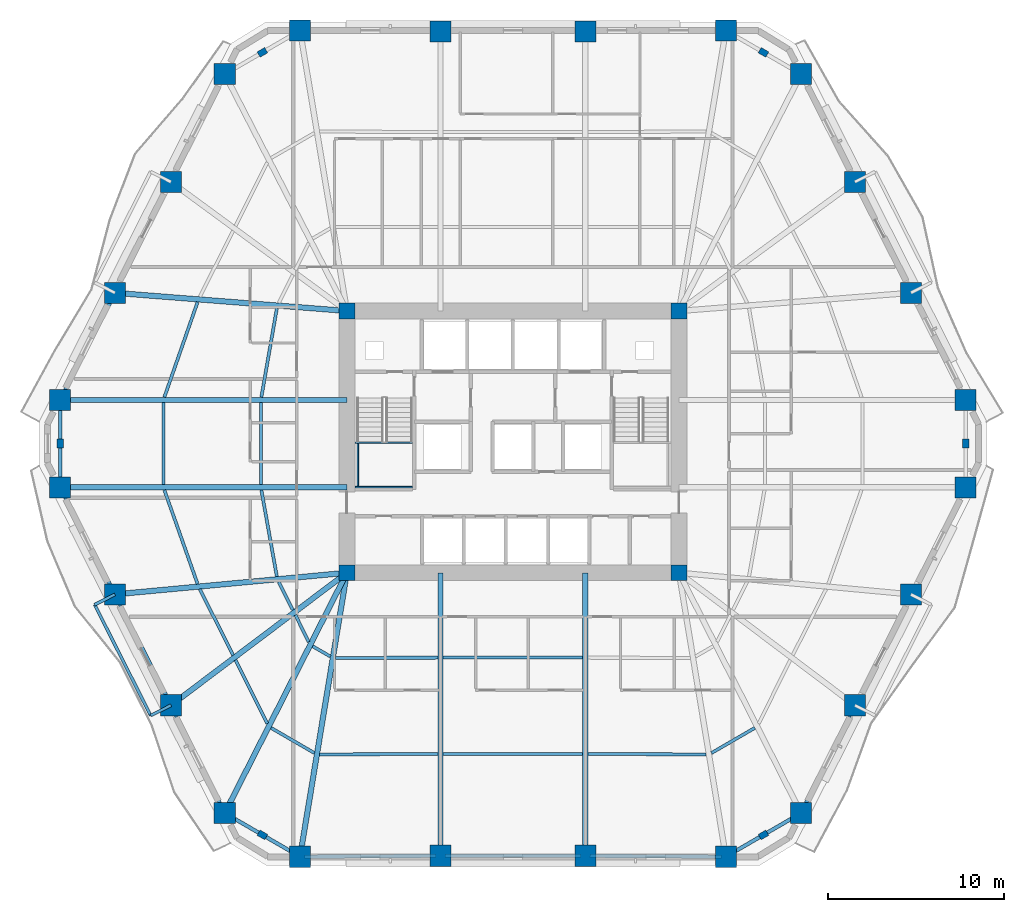
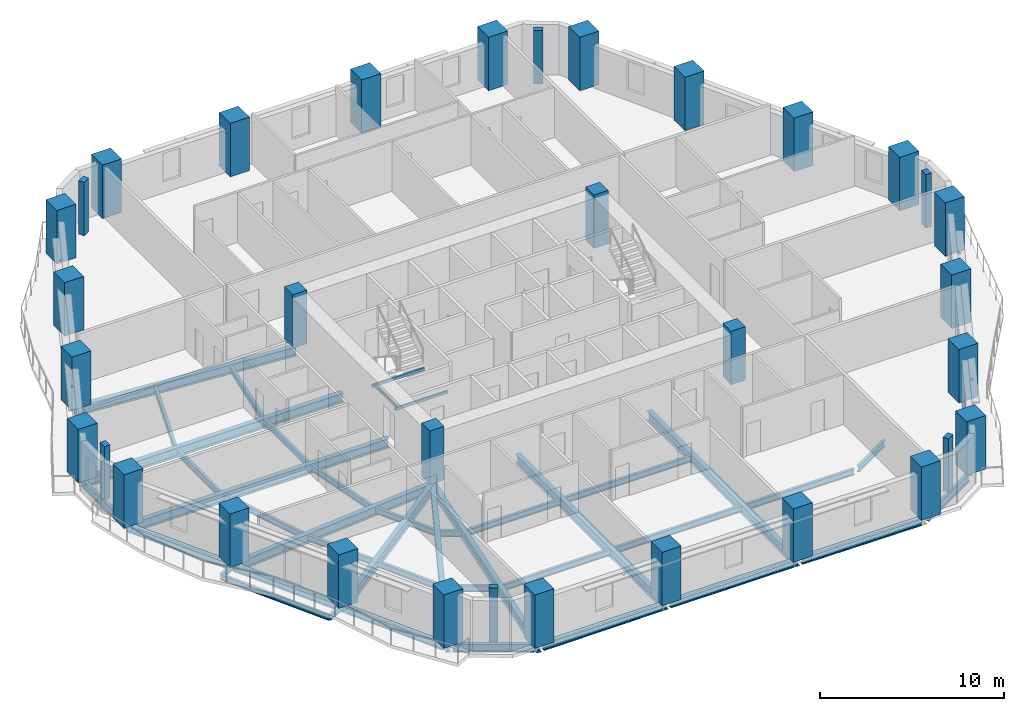
# One storey, part 1 of 14: 44 beams, 34 columns.
"""IFC4 building model written with IfcOpenShell, lengths in metres."""

from ifc_helpers import new_model, si_unit, direction, frame, origin, origin_2d, place, context, subcontext, project, spatial, rectangle, hollow_rectangle, i_section, extrude, material, material_profile, profile_set, type_object, element, save


model = new_model("IFC4")

# Units and contexts
model_context = context("Model", 3, precision=1e-05, world=origin(), true_north=direction((0.0, 1.0)))
body_context = subcontext(model_context, "Body", "Model", "MODEL_VIEW")
ifc_project = project(units=[si_unit("LENGTHUNIT", "METRE"), si_unit("AREAUNIT", "SQUARE_METRE"), si_unit("VOLUMEUNIT", "CUBIC_METRE"), si_unit("PLANEANGLEUNIT", "RADIAN"), si_unit("MASSUNIT", "GRAM", prefix="KILO")], contexts=[model_context])

# Site, building, storey
site_placement = place(None, origin())
site = spatial("IfcSite", under=ifc_project, at=site_placement, CompositionType="ELEMENT")
building_placement = place(site_placement, origin())
building = spatial("IfcBuilding", under=site, at=building_placement, Name="Cinnabar Lancet Tower", CompositionType="ELEMENT")
storey_placement = place(building_placement, frame((0.0, 0.0, 39.10009765625)))
storey = spatial("IfcBuildingStorey", under=building, at=storey_placement, Name="L09", CompositionType="ELEMENT", Elevation=39.10009765625)

# Columns
ifc_material_1 = material(Name="Concrete C80/95", Category="concrete")
ifc_material_profile_1 = material_profile(ifc_material_1, rectangle(XDim=0.89990234375, YDim=0.89990234375, at=origin_2d()), Name="RC-COL 900x900")
ifc_profile_set_1 = profile_set([ifc_material_profile_1], Name="Concrete C80/95")
column_type_1 = type_object("IfcColumnType", Name="STR-COL-CORE-900", PredefinedType="COLUMN", material=ifc_profile_set_1)
for number, where, z_axis, x_axis, name in (
    (1, (22.949951171875, 18.449951171875, 0.0), (0.0, 0.0, 1.0), (1.0, 0.0, 0.0), "L09 Core Corner Column SW"),
    (2, (41.85009765625, 18.449951171875, 0.0), (0.0, 0.0, 1.0), (1.0, 0.0, 0.0), "L09 Core Corner Column SE"),
    (3, (41.85009765625, 33.35009765625, 0.0), (0.0, 0.0, 1.0), (1.0, 0.0, 0.0), "L09 Core Corner Column NE"),
    (4, (22.949951171875, 33.35009765625, 0.0), (0.0, 0.0, 1.0), (1.0, 0.0, 0.0), "L09 Core Corner Column NW"),
):
    element("IfcColumn", number, at=place(storey_placement, frame(where, z_axis=z_axis, x_axis=x_axis)), inside=storey, type_object=column_type_1, Name=name, PredefinedType="COLUMN", context=body_context, shape_type="SweptSolid", body=[
        extrude(rectangle(XDim=0.89990234375, YDim=0.89990234375, at=origin_2d()), origin(), (0.0, 0.0, 1.0), 3.5498046875),
    ])
ifc_material_2 = material(Name="Concrete C60/75", Category="concrete")
ifc_material_profile_2 = material_profile(ifc_material_2, rectangle(XDim=0.5, YDim=0.35009765625, at=origin_2d()), Name="RC-PIL 500x350")
ifc_profile_set_2 = profile_set([ifc_material_profile_2], Name="Concrete C60/75")
column_type_2 = type_object("IfcColumnType", Name="STR-COL-PIL-500", PredefinedType="PILASTER", material=ifc_profile_set_2)
for number, where, z_axis, x_axis, name in (
    (5, (18.139892578125, 3.531005859375, 0.0), (0.0, 0.0, 1.0), (0.865195182343, -0.501435236546, 0.0), "L09 Chamfered Corner Pilaster 1"),
    (6, (46.659912109375, 3.531005859375, 0.0), (0.0, 0.0, 1.0), (0.865195182343, 0.501435236546, 0.0), "L09 Chamfered Corner Pilaster 2"),
    (7, (58.16796875, 25.800048828125, 0.0), (0.0, 0.0, 1.0), (0.0, 1.0, 0.0), "L09 Chamfered Corner Pilaster 3"),
    (8, (46.659912109375, 48.069091796875, 0.0), (0.0, 0.0, 1.0), (-0.865195182343, 0.501435236546, 0.0), "L09 Chamfered Corner Pilaster 4"),
    (9, (18.139892578125, 48.069091796875, 0.0), (0.0, 0.0, 1.0), (-0.865195182343, -0.501435236546, 0.0), "L09 Chamfered Corner Pilaster 5"),
    (10, (6.632080078125, 25.800048828125, 0.0), (0.0, 0.0, 1.0), (0.0, -1.0, 0.0), "L09 Chamfered Corner Pilaster 6"),
):
    element("IfcColumn", number, at=place(storey_placement, frame(where, z_axis=z_axis, x_axis=x_axis)), inside=storey, type_object=column_type_2, Name=name, PredefinedType="PILASTER", context=body_context, shape_type="SweptSolid", body=[
        extrude(rectangle(XDim=0.5, YDim=0.35009765625, at=origin_2d()), origin(), (0.0, 0.0, 1.0), 3.5498046875),
    ])
ifc_material_3 = material(Name="Concrete C80/95", Category="concrete")
ifc_material_profile_3 = material_profile(ifc_material_3, rectangle(XDim=1.199951171875, YDim=1.199951171875, at=origin_2d()), Name="RC-COL 1200x1200")
ifc_profile_set_3 = profile_set([ifc_material_profile_3], Name="Concrete C80/95")
column_type_3 = type_object("IfcColumnType", Name="STR-COL-TUBE-1200", PredefinedType="COLUMN", material=ifc_profile_set_3)
for number, where, z_axis, x_axis, name in (
    (11, (20.282958984375, 2.2890625, 0.0), (0.0, 0.0, 1.0), (1.0, 0.0, 0.0), "L09 Perimeter Tube Column 1"),
    (12, (28.278076171875, 2.342041015625, 0.0), (0.0, 0.0, 1.0), (1.0, 0.0, 0.0), "L09 Perimeter Tube Column 2"),
    (13, (36.52197265625, 2.342041015625, 0.0), (0.0, 0.0, 1.0), (1.0, 0.0, 0.0), "L09 Perimeter Tube Column 3"),
    (14, (44.51708984375, 2.2890625, 0.0), (0.0, 0.0, 1.0), (1.0, 0.0, 0.0), "L09 Perimeter Tube Column 4"),
    (15, (48.802978515625, 4.77294921875, 0.0), (0.0, 0.0, 1.0), (1.0, 0.0, 0.0), "L09 Perimeter Tube Column 5"),
    (16, (51.85888671875, 10.908935546875, 0.0), (0.0, 0.0, 1.0), (1.0, 0.0, 0.0), "L09 Perimeter Tube Column 6"),
    (17, (55.0458984375, 17.219970703125, 0.0), (0.0, 0.0, 1.0), (1.0, 0.0, 0.0), "L09 Perimeter Tube Column 7"),
    (18, (58.16796875, 23.31396484375, 0.0), (0.0, 0.0, 1.0), (1.0, 0.0, 0.0), "L09 Perimeter Tube Column 8"),
    (19, (58.16796875, 28.285888671875, 0.0), (0.0, 0.0, 1.0), (1.0, 0.0, 0.0), "L09 Perimeter Tube Column 9"),
    (20, (55.0458984375, 34.3798828125, 0.0), (0.0, 0.0, 1.0), (1.0, 0.0, 0.0), "L09 Perimeter Tube Column 10"),
    (21, (51.85888671875, 40.69091796875, 0.0), (0.0, 0.0, 1.0), (1.0, 0.0, 0.0), "L09 Perimeter Tube Column 11"),
    (22, (48.802978515625, 46.826904296875, 0.0), (0.0, 0.0, 1.0), (1.0, 0.0, 0.0), "L09 Perimeter Tube Column 12"),
    (23, (44.51708984375, 49.31103515625, 0.0), (0.0, 0.0, 1.0), (1.0, 0.0, 0.0), "L09 Perimeter Tube Column 13"),
    (24, (36.52197265625, 49.258056640625, 0.0), (0.0, 0.0, 1.0), (1.0, 0.0, 0.0), "L09 Perimeter Tube Column 14"),
    (25, (28.278076171875, 49.258056640625, 0.0), (0.0, 0.0, 1.0), (1.0, 0.0, 0.0), "L09 Perimeter Tube Column 15"),
    (26, (20.282958984375, 49.31103515625, 0.0), (0.0, 0.0, 1.0), (1.0, 0.0, 0.0), "L09 Perimeter Tube Column 16"),
    (27, (15.9970703125, 46.826904296875, 0.0), (0.0, 0.0, 1.0), (1.0, 0.0, 0.0), "L09 Perimeter Tube Column 17"),
    (28, (12.94091796875, 40.69091796875, 0.0), (0.0, 0.0, 1.0), (1.0, 0.0, 0.0), "L09 Perimeter Tube Column 18"),
    (29, (9.75390625, 34.3798828125, 0.0), (0.0, 0.0, 1.0), (1.0, 0.0, 0.0), "L09 Perimeter Tube Column 19"),
    (30, (6.632080078125, 28.285888671875, 0.0), (0.0, 0.0, 1.0), (1.0, 0.0, 0.0), "L09 Perimeter Tube Column 20"),
    (31, (6.632080078125, 23.31396484375, 0.0), (0.0, 0.0, 1.0), (1.0, 0.0, 0.0), "L09 Perimeter Tube Column 21"),
    (32, (9.75390625, 17.219970703125, 0.0), (0.0, 0.0, 1.0), (1.0, 0.0, 0.0), "L09 Perimeter Tube Column 22"),
    (33, (12.94091796875, 10.908935546875, 0.0), (0.0, 0.0, 1.0), (1.0, 0.0, 0.0), "L09 Perimeter Tube Column 23"),
    (34, (15.9970703125, 4.77294921875, 0.0), (0.0, 0.0, 1.0), (1.0, 0.0, 0.0), "L09 Perimeter Tube Column 24"),
):
    element("IfcColumn", number, at=place(storey_placement, frame(where, z_axis=z_axis, x_axis=x_axis)), inside=storey, type_object=column_type_3, Name=name, PredefinedType="COLUMN", context=body_context, shape_type="SweptSolid", body=[
        extrude(rectangle(XDim=1.199951171875, YDim=1.199951171875, at=origin_2d()), origin(), (0.0, 0.0, 1.0), 3.5498046875),
    ])

# Beams
ifc_material_4 = material(Name="Structural steel S355", Category="steel")
ifc_material_profile_4 = material_profile(ifc_material_4, i_section(OverallWidth=0.177978515625, OverallDepth=0.406494140625, WebThickness=0.0078125, FlangeThickness=0.0126953125, FilletRadius=0.01025390625, at=origin_2d()), Name="UKB 406x178x60")
ifc_profile_set_4 = profile_set([ifc_material_profile_4], Name="Structural steel S355")
beam_type_1 = type_object("IfcBeamType", Name="STR-BM-JST-406", PredefinedType="JOIST", material=ifc_profile_set_4)
beam_1_placement = place(storey_placement, frame((12.56103515625, 23.159912109375, -0.423095703125), z_axis=(0.333349133153, -0.942803455353, 0.0), x_axis=(0.942803455353, 0.333349133153, 0.0)))
element("IfcBeam", 35, at=beam_1_placement, inside=storey, type_object=beam_type_1, Name="L09 Secondary Floor Joist 1", PredefinedType="JOIST", context=body_context, shape_type="SweptSolid", body=[
    extrude(i_section(OverallWidth=0.177978515625, OverallDepth=0.406494140625, WebThickness=0.0078125, FlangeThickness=0.0126953125, FilletRadius=0.01025390625, at=origin_2d()), origin(), (0.0, 0.0, 1.0), 5.67236328125),
])
beam_2_placement = place(storey_placement, frame((18.08203125, 23.159912109375, -0.423095703125), z_axis=(0.176227857104, -0.984349400559, 0.0), x_axis=(0.984349400559, 0.176227857104, 0.0)))
element("IfcBeam", 36, at=beam_2_placement, inside=storey, type_object=beam_type_1, Name="L09 Secondary Floor Joist 2", PredefinedType="JOIST", context=body_context, shape_type="SweptSolid", body=[
    extrude(i_section(OverallWidth=0.177978515625, OverallDepth=0.406494140625, WebThickness=0.0078125, FlangeThickness=0.0126953125, FilletRadius=0.01025390625, at=origin_2d()), origin(), (0.0, 0.0, 1.0), 5.00537109375),
])
beam_3_placement = place(storey_placement, frame((14.5791015625, 17.51611328125, -0.423095703125), z_axis=(0.450717414682, -0.892666685893, 0.0), x_axis=(0.892666685893, 0.450717414682, 0.0)))
element("IfcBeam", 37, at=beam_3_placement, inside=storey, type_object=beam_type_1, Name="L09 Secondary Floor Joist 3", PredefinedType="JOIST", context=body_context, shape_type="SweptSolid", body=[
    extrude(i_section(OverallWidth=0.177978515625, OverallDepth=0.406494140625, WebThickness=0.0078125, FlangeThickness=0.0126953125, FilletRadius=0.01025390625, at=origin_2d()), origin(), (0.0, 0.0, 1.0), 4.204345703125),
])
beam_4_placement = place(storey_placement, frame((19.06591796875, 17.93408203125, -0.423095703125), z_axis=(0.450519589093, -0.892766542744, 0.0), x_axis=(0.892766542744, 0.450519589093, 0.0)))
element("IfcBeam", 38, at=beam_4_placement, inside=storey, type_object=beam_type_1, Name="L09 Secondary Floor Joist 4", PredefinedType="JOIST", context=body_context, shape_type="SweptSolid", body=[
    extrude(i_section(OverallWidth=0.177978515625, OverallDepth=0.406494140625, WebThickness=0.0078125, FlangeThickness=0.0126953125, FilletRadius=0.01025390625, at=origin_2d()), origin(), (0.0, 0.0, 1.0), 1.80029296875),
])
beam_5_placement = place(storey_placement, frame((16.614013671875, 13.48388671875, -0.423095703125), z_axis=(0.445835127839, -0.895115098065, 0.0), x_axis=(0.895115098065, 0.445835127839, 0.0)))
element("IfcBeam", 39, at=beam_5_placement, inside=storey, type_object=beam_type_1, Name="L09 Secondary Floor Joist 5", PredefinedType="JOIST", context=body_context, shape_type="SweptSolid", body=[
    extrude(i_section(OverallWidth=0.177978515625, OverallDepth=0.406494140625, WebThickness=0.0078125, FlangeThickness=0.0126953125, FilletRadius=0.01025390625, at=origin_2d()), origin(), (0.0, 0.0, 1.0), 4.03955078125),
])
beam_6_placement = place(storey_placement, frame((20.01708984375, 16.048095703125, -0.423095703125), z_axis=(0.44578468599, -0.895140220154, 0.0), x_axis=(0.895140220154, 0.44578468599, 0.0)))
element("IfcBeam", 40, at=beam_6_placement, inside=storey, type_object=beam_type_1, Name="L09 Secondary Floor Joist 6", PredefinedType="JOIST", context=body_context, shape_type="SweptSolid", body=[
    extrude(i_section(OverallWidth=0.177978515625, OverallDepth=0.406494140625, WebThickness=0.0078125, FlangeThickness=0.0126953125, FilletRadius=0.01025390625, at=origin_2d()), origin(), (0.0, 0.0, 1.0), 1.709228515625),
])
beam_7_placement = place(storey_placement, frame((18.633056640625, 9.6201171875, -0.423095703125), z_axis=(0.865076496111, -0.501639966387, 0.0), x_axis=(0.501639966387, 0.865076496111, 0.0)))
element("IfcBeam", 41, at=beam_7_placement, inside=storey, type_object=beam_type_1, Name="L09 Secondary Floor Joist 7", PredefinedType="JOIST", context=body_context, shape_type="SweptSolid", body=[
    extrude(i_section(OverallWidth=0.177978515625, OverallDepth=0.406494140625, WebThickness=0.0078125, FlangeThickness=0.0126953125, FilletRadius=0.01025390625, at=origin_2d()), origin(), (0.0, 0.0, 1.0), 2.85302734375),
])
beam_8_placement = place(storey_placement, frame((20.9970703125, 14.27001953125, -0.423095703125), z_axis=(0.865192550274, -0.50143977799, 0.0), x_axis=(0.50143977799, 0.865192550274, 0.0)))
element("IfcBeam", 42, at=beam_8_placement, inside=storey, type_object=beam_type_1, Name="L09 Secondary Floor Joist 8", PredefinedType="JOIST", context=body_context, shape_type="SweptSolid", body=[
    extrude(i_section(OverallWidth=0.177978515625, OverallDepth=0.406494140625, WebThickness=0.0078125, FlangeThickness=0.0126953125, FilletRadius=0.01025390625, at=origin_2d()), origin(), (0.0, 0.0, 1.0), 1.16845703125),
])
beam_9_placement = place(storey_placement, frame((21.39892578125, 8.10791015625, -0.423095703125), z_axis=(0.999988691939, 0.004755627628, 0.0), x_axis=(-0.004755627628, 0.999988691939, 0.0)))
element("IfcBeam", 43, at=beam_9_placement, inside=storey, type_object=beam_type_1, Name="L09 Secondary Floor Joist 9", PredefinedType="JOIST", context=body_context, shape_type="SweptSolid", body=[
    extrude(i_section(OverallWidth=0.177978515625, OverallDepth=0.406494140625, WebThickness=0.0078125, FlangeThickness=0.0126953125, FilletRadius=0.01025390625, at=origin_2d()), origin(), (0.0, 0.0, 1.0), 6.72509765625),
])
beam_10_placement = place(storey_placement, frame((22.305908203125, 13.60205078125, -0.423095703125), z_axis=(0.999996724007, 0.002559682773, 0.0), x_axis=(-0.002559682773, 0.999996724007, 0.0)))
element("IfcBeam", 44, at=beam_10_placement, inside=storey, type_object=beam_type_1, Name="L09 Secondary Floor Joist 10", PredefinedType="JOIST", context=body_context, shape_type="SweptSolid", body=[
    extrude(i_section(OverallWidth=0.177978515625, OverallDepth=0.406494140625, WebThickness=0.0078125, FlangeThickness=0.0126953125, FilletRadius=0.01025390625, at=origin_2d()), origin(), (0.0, 0.0, 1.0), 5.818115234375),
])
for number, where, z_axis, x_axis, name in (
    (45, (28.431884765625, 8.14111328125, -0.423095703125), (1.0, 0.0, 0.0), (0.0, 1.0, 0.0), "L09 Secondary Floor Joist 11"),
    (46, (28.431884765625, 13.617919921875, -0.423095703125), (1.0, 0.0, 0.0), (0.0, 1.0, 0.0), "L09 Secondary Floor Joist 12"),
):
    element("IfcBeam", number, at=place(storey_placement, frame(where, z_axis=z_axis, x_axis=x_axis)), inside=storey, type_object=beam_type_1, Name=name, PredefinedType="JOIST", context=body_context, shape_type="SweptSolid", body=[
        extrude(i_section(OverallWidth=0.177978515625, OverallDepth=0.406494140625, WebThickness=0.0078125, FlangeThickness=0.0126953125, FilletRadius=0.01025390625, at=origin_2d()), origin(), (0.0, 0.0, 1.0), 7.93603515625),
    ])
beam_11_placement = place(storey_placement, frame((36.676025390625, 8.139892578125, -0.423095703125), z_axis=(0.999988691118, -0.004755800274, 0.0), x_axis=(0.004755800274, 0.999988691118, 0.0)))
element("IfcBeam", 47, at=beam_11_placement, inside=storey, type_object=beam_type_1, Name="L09 Secondary Floor Joist 13", PredefinedType="JOIST", context=body_context, shape_type="SweptSolid", body=[
    extrude(i_section(OverallWidth=0.177978515625, OverallDepth=0.406494140625, WebThickness=0.0078125, FlangeThickness=0.0126953125, FilletRadius=0.01025390625, at=origin_2d()), origin(), (0.0, 0.0, 1.0), 6.724853515625),
])
beam_12_placement = place(storey_placement, frame((43.698974609375, 8.18896484375, -0.423095703125), z_axis=(0.865076496111, 0.501639966387, 0.0), x_axis=(-0.501639966387, 0.865076496111, 0.0)))
element("IfcBeam", 48, at=beam_12_placement, inside=storey, type_object=beam_type_1, Name="L09 Secondary Floor Joist 15", PredefinedType="JOIST", context=body_context, shape_type="SweptSolid", body=[
    extrude(i_section(OverallWidth=0.177978515625, OverallDepth=0.406494140625, WebThickness=0.0078125, FlangeThickness=0.0126953125, FilletRadius=0.01025390625, at=origin_2d()), origin(), (0.0, 0.0, 1.0), 2.85302734375),
])
beam_13_placement = place(storey_placement, frame((14.451904296875, 33.85888671875, -0.423095703125), z_axis=(-0.329607609001, -0.944118013857, 0.0), x_axis=(0.944118013857, -0.329607609001, 0.0)))
element("IfcBeam", 49, at=beam_13_placement, inside=storey, type_object=beam_type_1, Name="L09 Secondary Floor Joist 45", PredefinedType="JOIST", context=body_context, shape_type="SweptSolid", body=[
    extrude(i_section(OverallWidth=0.177978515625, OverallDepth=0.406494140625, WebThickness=0.0078125, FlangeThickness=0.0126953125, FilletRadius=0.01025390625, at=origin_2d()), origin(), (0.0, 0.0, 1.0), 5.73974609375),
])
beam_14_placement = place(storey_placement, frame((18.965087890625, 33.507080078125, -0.423095703125), z_axis=(-0.171867959611, -0.985119994954, 0.0), x_axis=(0.985119994954, -0.171867959611, 0.0)))
element("IfcBeam", 50, at=beam_14_placement, inside=storey, type_object=beam_type_1, Name="L09 Secondary Floor Joist 46", PredefinedType="JOIST", context=body_context, shape_type="SweptSolid", body=[
    extrude(i_section(OverallWidth=0.177978515625, OverallDepth=0.406494140625, WebThickness=0.0078125, FlangeThickness=0.0126953125, FilletRadius=0.01025390625, at=origin_2d()), origin(), (0.0, 0.0, 1.0), 5.1435546875),
])
for number, where, z_axis, x_axis, name in (
    (51, (12.506103515625, 28.132080078125, -0.423095703125), (0.0, -1.0, 0.0), (1.0, 0.0, 0.0), "L09 Secondary Floor Joist 47"),
    (52, (18.054931640625, 28.132080078125, -0.423095703125), (0.0, -1.0, 0.0), (1.0, 0.0, 0.0), "L09 Secondary Floor Joist 48"),
):
    element("IfcBeam", number, at=place(storey_placement, frame(where, z_axis=z_axis, x_axis=x_axis)), inside=storey, type_object=beam_type_1, Name=name, PredefinedType="JOIST", context=body_context, shape_type="SweptSolid", body=[
        extrude(i_section(OverallWidth=0.177978515625, OverallDepth=0.406494140625, WebThickness=0.0078125, FlangeThickness=0.0126953125, FilletRadius=0.01025390625, at=origin_2d()), origin(), (0.0, 0.0, 1.0), 4.6640625),
    ])
ifc_material_5 = material(Name="Structural steel S355", Category="steel")
ifc_material_profile_5 = material_profile(ifc_material_5, hollow_rectangle(XDim=0.10009765625, YDim=0.199951171875, WallThickness=0.008056640625, InnerFilletRadius=0.00390625, OuterFilletRadius=0.011962890625, at=origin_2d()), Name="RHS 200x100x8")
ifc_profile_set_5 = profile_set([ifc_material_profile_5], Name="Structural steel S355")
beam_type_2 = type_object("IfcBeamType", Name="STR-BM-LND-203", PredefinedType="BEAM", material=ifc_profile_set_5)
for number, where, z_axis, x_axis, name in (
    (53, (23.39990234375, 23.330078125, 1.474853515625), (1.0, 0.0, 0.0), (0.0, 1.0, 0.0), "L09 ST-1-L09 Landing Support Beam S"),
    (54, (23.39990234375, 25.844970703125, 1.474853515625), (1.0, 0.0, 0.0), (0.0, 1.0, 0.0), "L09 ST-1-L09 Landing Support Beam N"),
):
    element("IfcBeam", number, at=place(storey_placement, frame(where, z_axis=z_axis, x_axis=x_axis)), inside=storey, type_object=beam_type_2, Name=name, PredefinedType="BEAM", context=body_context, shape_type="SweptSolid", body=[
        extrude(hollow_rectangle(XDim=0.10009765625, YDim=0.199951171875, WallThickness=0.008056640625, InnerFilletRadius=0.00390625, OuterFilletRadius=0.011962890625, at=origin_2d()), origin(), (0.0, 0.0, 1.0), 3.280029296875),
    ])
beam_15_placement = place(storey_placement, frame((23.580078125, 23.3798828125, 1.474853515625), z_axis=(0.0, 1.0, 0.0), x_axis=(-1.0, 0.0, 0.0)))
element("IfcBeam", 55, at=beam_15_placement, inside=storey, type_object=beam_type_2, Name="L09 ST-1-L09 Landing Side Trimmer Beam", PredefinedType="BEAM", context=body_context, shape_type="SweptSolid", body=[
    extrude(hollow_rectangle(XDim=0.10009765625, YDim=0.199951171875, WallThickness=0.008056640625, InnerFilletRadius=0.00390625, OuterFilletRadius=0.011962890625, at=origin_2d()), origin(), (0.0, 0.0, 1.0), 2.4150390625),
])
ifc_material_6 = material(Name="Structural steel S355", Category="steel")
ifc_material_profile_6 = material_profile(ifc_material_6, i_section(OverallWidth=0.209228515625, OverallDepth=0.533203125, WebThickness=0.010009765625, FlangeThickness=0.015625, FilletRadius=0.0126953125, at=origin_2d()), Name="UKB 533x210x92")
ifc_profile_set_6 = profile_set([ifc_material_profile_6], Name="Structural steel S355")
beam_type_3 = type_object("IfcBeamType", Name="STR-BM-SPN-533", PredefinedType="SPANDREL", material=ifc_profile_set_6)
beam_16_placement = place(storey_placement, frame((20.532958984375, 2.291015625, -0.487060546875), z_axis=(0.99997856757, 0.006547090947, 0.0), x_axis=(-0.006547090947, 0.99997856757, 0.0)))
element("IfcBeam", 56, at=beam_16_placement, inside=storey, type_object=beam_type_3, Name="L09 Perimeter Spandrel 1", PredefinedType="SPANDREL", context=body_context, shape_type="SweptSolid", body=[
    extrude(i_section(OverallWidth=0.209228515625, OverallDepth=0.533203125, WebThickness=0.010009765625, FlangeThickness=0.015625, FilletRadius=0.0126953125, at=origin_2d()), origin(), (0.0, 0.0, 1.0), 7.495361328125),
])
beam_17_placement = place(storey_placement, frame((28.528076171875, 2.342041015625, -0.487060546875), z_axis=(1.0, 0.0, 0.0), x_axis=(0.0, 1.0, 0.0)))
element("IfcBeam", 57, at=beam_17_placement, inside=storey, type_object=beam_type_3, Name="L09 Perimeter Spandrel 2", PredefinedType="SPANDREL", context=body_context, shape_type="SweptSolid", body=[
    extrude(i_section(OverallWidth=0.209228515625, OverallDepth=0.533203125, WebThickness=0.010009765625, FlangeThickness=0.015625, FilletRadius=0.0126953125, at=origin_2d()), origin(), (0.0, 0.0, 1.0), 7.743896484375),
])
beam_18_placement = place(storey_placement, frame((36.77197265625, 2.340087890625, -0.487060546875), z_axis=(0.99997856757, -0.006547090947, 0.0), x_axis=(0.006547090947, 0.99997856757, 0.0)))
element("IfcBeam", 58, at=beam_18_placement, inside=storey, type_object=beam_type_3, Name="L09 Perimeter Spandrel 3", PredefinedType="SPANDREL", context=body_context, shape_type="SweptSolid", body=[
    extrude(i_section(OverallWidth=0.209228515625, OverallDepth=0.533203125, WebThickness=0.010009765625, FlangeThickness=0.015625, FilletRadius=0.0126953125, at=origin_2d()), origin(), (0.0, 0.0, 1.0), 7.495361328125),
])
beam_19_placement = place(storey_placement, frame((44.73291015625, 2.4140625, -0.487060546875), z_axis=(0.865171017323, 0.501476929463, 0.0), x_axis=(-0.501476929463, 0.865171017323, 0.0)))
element("IfcBeam", 59, at=beam_19_placement, inside=storey, type_object=beam_type_3, Name="L09 Perimeter Spandrel 4", PredefinedType="SPANDREL", context=body_context, shape_type="SweptSolid", body=[
    extrude(i_section(OverallWidth=0.209228515625, OverallDepth=0.533203125, WebThickness=0.010009765625, FlangeThickness=0.015625, FilletRadius=0.0126953125, at=origin_2d()), origin(), (0.0, 0.0, 1.0), 4.45458984375),
])
beam_20_placement = place(storey_placement, frame((48.9140625, 4.9970703125, -0.487060546875), z_axis=(0.445953050023, 0.89505635419, 0.0), x_axis=(-0.89505635419, 0.445953050023, 0.0)))
element("IfcBeam", 60, at=beam_20_placement, inside=storey, type_object=beam_type_3, Name="L09 Perimeter Spandrel 5", PredefinedType="SPANDREL", context=body_context, shape_type="SweptSolid", body=[
    extrude(i_section(OverallWidth=0.209228515625, OverallDepth=0.533203125, WebThickness=0.010009765625, FlangeThickness=0.015625, FilletRadius=0.0126953125, at=origin_2d()), origin(), (0.0, 0.0, 1.0), 6.35498046875),
])
beam_21_placement = place(storey_placement, frame((9.639892578125, 34.156982421875, -0.487060546875), z_axis=(-0.455994051912, -0.889982822655, 0.0), x_axis=(0.889982822655, -0.455994051912, 0.0)))
element("IfcBeam", 61, at=beam_21_placement, inside=storey, type_object=beam_type_3, Name="L09 Perimeter Spandrel 19", PredefinedType="SPANDREL", context=body_context, shape_type="SweptSolid", body=[
    extrude(i_section(OverallWidth=0.209228515625, OverallDepth=0.533203125, WebThickness=0.010009765625, FlangeThickness=0.015625, FilletRadius=0.0126953125, at=origin_2d()), origin(), (0.0, 0.0, 1.0), 6.34619140625),
])
beam_22_placement = place(storey_placement, frame((6.632080078125, 28.035888671875, -0.487060546875), z_axis=(0.0, -1.0, 0.0), x_axis=(1.0, 0.0, 0.0)))
element("IfcBeam", 62, at=beam_22_placement, inside=storey, type_object=beam_type_3, Name="L09 Perimeter Spandrel 20", PredefinedType="SPANDREL", context=body_context, shape_type="SweptSolid", body=[
    extrude(i_section(OverallWidth=0.209228515625, OverallDepth=0.533203125, WebThickness=0.010009765625, FlangeThickness=0.015625, FilletRadius=0.0126953125, at=origin_2d()), origin(), (0.0, 0.0, 1.0), 4.471923828125),
])
beam_23_placement = place(storey_placement, frame((6.74609375, 23.091064453125, -0.487060546875), z_axis=(0.455994051912, -0.889982822655, 0.0), x_axis=(0.889982822655, 0.455994051912, 0.0)))
element("IfcBeam", 63, at=beam_23_placement, inside=storey, type_object=beam_type_3, Name="L09 Perimeter Spandrel 21", PredefinedType="SPANDREL", context=body_context, shape_type="SweptSolid", body=[
    extrude(i_section(OverallWidth=0.209228515625, OverallDepth=0.533203125, WebThickness=0.010009765625, FlangeThickness=0.015625, FilletRadius=0.0126953125, at=origin_2d()), origin(), (0.0, 0.0, 1.0), 6.34619140625),
])
beam_24_placement = place(storey_placement, frame((9.866943359375, 16.9970703125, -0.487060546875), z_axis=(0.450673532306, -0.892688841242, 0.0), x_axis=(0.892688841242, 0.450673532306, 0.0)))
element("IfcBeam", 64, at=beam_24_placement, inside=storey, type_object=beam_type_3, Name="L09 Perimeter Spandrel 22", PredefinedType="SPANDREL", context=body_context, shape_type="SweptSolid", body=[
    extrude(i_section(OverallWidth=0.209228515625, OverallDepth=0.533203125, WebThickness=0.010009765625, FlangeThickness=0.015625, FilletRadius=0.0126953125, at=origin_2d()), origin(), (0.0, 0.0, 1.0), 6.570068359375),
])
beam_25_placement = place(storey_placement, frame((13.052001953125, 10.68505859375, -0.487060546875), z_axis=(0.445953050023, -0.89505635419, 0.0), x_axis=(0.89505635419, 0.445953050023, 0.0)))
element("IfcBeam", 65, at=beam_25_placement, inside=storey, type_object=beam_type_3, Name="L09 Perimeter Spandrel 23", PredefinedType="SPANDREL", context=body_context, shape_type="SweptSolid", body=[
    extrude(i_section(OverallWidth=0.209228515625, OverallDepth=0.533203125, WebThickness=0.010009765625, FlangeThickness=0.015625, FilletRadius=0.0126953125, at=origin_2d()), origin(), (0.0, 0.0, 1.0), 6.35498046875),
])
beam_26_placement = place(storey_placement, frame((16.212890625, 4.64794921875, -0.487060546875), z_axis=(0.865171017323, -0.501476929463, 0.0), x_axis=(0.501476929463, 0.865171017323, 0.0)))
element("IfcBeam", 66, at=beam_26_placement, inside=storey, type_object=beam_type_3, Name="L09 Perimeter Spandrel 24", PredefinedType="SPANDREL", context=body_context, shape_type="SweptSolid", body=[
    extrude(i_section(OverallWidth=0.209228515625, OverallDepth=0.533203125, WebThickness=0.010009765625, FlangeThickness=0.015625, FilletRadius=0.0126953125, at=origin_2d()), origin(), (0.0, 0.0, 1.0), 4.45458984375),
])
ifc_material_7 = material(Name="Structural steel S355", Category="steel")
ifc_material_profile_7 = material_profile(ifc_material_7, i_section(OverallWidth=0.30712890625, OverallDepth=0.6201171875, WebThickness=0.01416015625, FlangeThickness=0.023681640625, FilletRadius=0.0166015625, at=origin_2d()), Name="UKB 610x305x179")
ifc_profile_set_7 = profile_set([ifc_material_profile_7], Name="Structural steel S355")
beam_type_4 = type_object("IfcBeamType", Name="STR-BM-UKB610-179", PredefinedType="BEAM", material=ifc_profile_set_7)
beam_27_placement = place(storey_placement, frame((12.94091796875, 10.908935546875, -0.530029296875), z_axis=(0.798686588468, 0.601747233812, 0.0), x_axis=(-0.601747233812, 0.798686588468, 0.0)))
element("IfcBeam", 67, at=beam_27_placement, inside=storey, type_object=beam_type_4, Name="L09 Corner Collector Girder 1", PredefinedType="BEAM", context=body_context, shape_type="SweptSolid", body=[
    extrude(i_section(OverallWidth=0.30712890625, OverallDepth=0.6201171875, WebThickness=0.01416015625, FlangeThickness=0.023681640625, FilletRadius=0.0166015625, at=origin_2d()), origin(), (0.0, 0.0, 1.0), 12.531982421875),
])
beam_28_placement = place(storey_placement, frame((20.282958984375, 2.2890625, -0.530029296875), z_axis=(0.162825264118, 0.986654921117, 0.0), x_axis=(-0.986654921117, 0.162825264118, 0.0)))
element("IfcBeam", 68, at=beam_28_placement, inside=storey, type_object=beam_type_4, Name="L09 Primary Floor Girder 1", PredefinedType="BEAM", context=body_context, shape_type="SweptSolid", body=[
    extrude(i_section(OverallWidth=0.30712890625, OverallDepth=0.6201171875, WebThickness=0.01416015625, FlangeThickness=0.023681640625, FilletRadius=0.0166015625, at=origin_2d()), origin(), (0.0, 0.0, 1.0), 16.37939453125),
])
for number, where, z_axis, x_axis, name in (
    (69, (28.278076171875, 2.342041015625, -0.530029296875), (0.0, 1.0, 0.0), (-1.0, 0.0, 0.0), "L09 Primary Floor Girder 2"),
    (70, (36.52197265625, 2.342041015625, -0.530029296875), (0.0, 1.0, 0.0), (-1.0, 0.0, 0.0), "L09 Primary Floor Girder 3"),
):
    element("IfcBeam", number, at=place(storey_placement, frame(where, z_axis=z_axis, x_axis=x_axis)), inside=storey, type_object=beam_type_4, Name=name, PredefinedType="BEAM", context=body_context, shape_type="SweptSolid", body=[
        extrude(i_section(OverallWidth=0.30712890625, OverallDepth=0.6201171875, WebThickness=0.01416015625, FlangeThickness=0.023681640625, FilletRadius=0.0166015625, at=origin_2d()), origin(), (0.0, 0.0, 1.0), 16.10791015625),
    ])
beam_29_placement = place(storey_placement, frame((9.75390625, 34.3798828125, -0.530029296875), z_axis=(0.99696891848, -0.077800871365, 0.0), x_axis=(0.077800871365, 0.99696891848, 0.0)))
element("IfcBeam", 71, at=beam_29_placement, inside=storey, type_object=beam_type_4, Name="L09 Primary Floor Girder 19", PredefinedType="BEAM", context=body_context, shape_type="SweptSolid", body=[
    extrude(i_section(OverallWidth=0.30712890625, OverallDepth=0.6201171875, WebThickness=0.01416015625, FlangeThickness=0.023681640625, FilletRadius=0.0166015625, at=origin_2d()), origin(), (0.0, 0.0, 1.0), 13.236083984375),
])
for number, where, z_axis, x_axis, name in (
    (72, (6.632080078125, 28.285888671875, -0.530029296875), (1.0, 0.0, 0.0), (0.0, 1.0, 0.0), "L09 Primary Floor Girder 20"),
    (73, (6.632080078125, 23.31396484375, -0.530029296875), (1.0, 0.0, 0.0), (0.0, 1.0, 0.0), "L09 Primary Floor Girder 21"),
):
    element("IfcBeam", number, at=place(storey_placement, frame(where, z_axis=z_axis, x_axis=x_axis)), inside=storey, type_object=beam_type_4, Name=name, PredefinedType="BEAM", context=body_context, shape_type="SweptSolid", body=[
        extrude(i_section(OverallWidth=0.30712890625, OverallDepth=0.6201171875, WebThickness=0.01416015625, FlangeThickness=0.023681640625, FilletRadius=0.0166015625, at=origin_2d()), origin(), (0.0, 0.0, 1.0), 16.31787109375),
    ])
beam_30_placement = place(storey_placement, frame((9.75390625, 17.219970703125, -0.530029296875), z_axis=(0.995684210255, 0.092805998987, 0.0), x_axis=(-0.092805998987, 0.995684210255, 0.0)))
element("IfcBeam", 74, at=beam_30_placement, inside=storey, type_object=beam_type_4, Name="L09 Primary Floor Girder 22", PredefinedType="BEAM", context=body_context, shape_type="SweptSolid", body=[
    extrude(i_section(OverallWidth=0.30712890625, OverallDepth=0.6201171875, WebThickness=0.01416015625, FlangeThickness=0.023681640625, FilletRadius=0.0166015625, at=origin_2d()), origin(), (0.0, 0.0, 1.0), 13.253173828125),
])
beam_31_placement = place(storey_placement, frame((15.9970703125, 4.77294921875, -0.530029296875), z_axis=(0.453167599586, 0.89142533433, 0.0), x_axis=(-0.89142533433, 0.453167599586, 0.0)))
element("IfcBeam", 75, at=beam_31_placement, inside=storey, type_object=beam_type_4, Name="L09 Primary Floor Girder 24", PredefinedType="BEAM", context=body_context, shape_type="SweptSolid", body=[
    extrude(i_section(OverallWidth=0.30712890625, OverallDepth=0.6201171875, WebThickness=0.01416015625, FlangeThickness=0.023681640625, FilletRadius=0.0166015625, at=origin_2d()), origin(), (0.0, 0.0, 1.0), 15.3427734375),
])
ifc_material_8 = material(Name="Structural steel S355", Category="steel")
ifc_material_profile_8 = material_profile(ifc_material_8, i_section(OverallWidth=0.17138671875, OverallDepth=0.35498046875, WebThickness=0.00732421875, FlangeThickness=0.011474609375, FilletRadius=0.01025390625, at=origin_2d()), Name="UKB 356x171x51")
ifc_profile_set_8 = profile_set([ifc_material_profile_8], Name="Structural steel S355")
beam_type_5 = type_object("IfcBeamType", Name="STR-BM-WAV-OUT", PredefinedType="BEAM", material=ifc_profile_set_8)
for number, where, z_axis, x_axis, name in (
    (76, (9.75390625, 17.219970703125, -0.397216796875), (-0.89227592947, -0.451490493464, 0.0), (0.451490493464, -0.89227592947, 0.0), "L09 Face 6 Balcony Outlooker A"),
    (77, (12.94091796875, 10.908935546875, -0.397216796875), (-0.89227592947, -0.451490493464, 0.0), (0.451490493464, -0.89227592947, 0.0), "L09 Face 6 Balcony Outlooker B"),
):
    element("IfcBeam", number, at=place(storey_placement, frame(where, z_axis=z_axis, x_axis=x_axis)), inside=storey, type_object=beam_type_5, Name=name, PredefinedType="BEAM", context=body_context, shape_type="SweptSolid", body=[
        extrude(i_section(OverallWidth=0.17138671875, OverallDepth=0.35498046875, WebThickness=0.00732421875, FlangeThickness=0.011474609375, FilletRadius=0.01025390625, at=origin_2d()), origin(), (0.0, 0.0, 1.0), 1.300048828125),
    ])
ifc_material_9 = material(Name="Structural steel S355", Category="steel")
ifc_material_profile_9 = material_profile(ifc_material_9, i_section(OverallWidth=0.17138671875, OverallDepth=0.35498046875, WebThickness=0.00732421875, FlangeThickness=0.011474609375, FilletRadius=0.01025390625, at=origin_2d()), Name="UKB 356x171x51")
ifc_profile_set_9 = profile_set([ifc_material_profile_9], Name="Structural steel S355")
beam_type_6 = type_object("IfcBeamType", Name="STR-BM-WAV-TRIM", PredefinedType="SPANDREL", material=ifc_profile_set_9)
beam_32_placement = place(storey_placement, frame((8.593994140625, 16.633056640625, -0.397216796875), z_axis=(0.450773692627, -0.892638268301, 0.0), x_axis=(0.892638268301, 0.450773692627, 0.0)))
element("IfcBeam", 78, at=beam_32_placement, inside=storey, type_object=beam_type_6, Name="L09 Face 6 Balcony Edge Trimmer", PredefinedType="SPANDREL", context=body_context, shape_type="SweptSolid", body=[
    extrude(i_section(OverallWidth=0.17138671875, OverallDepth=0.35498046875, WebThickness=0.00732421875, FlangeThickness=0.011474609375, FilletRadius=0.01025390625, at=origin_2d()), origin(), (0.0, 0.0, 1.0), 7.070068359375),
])

save(model, "model.ifc")
